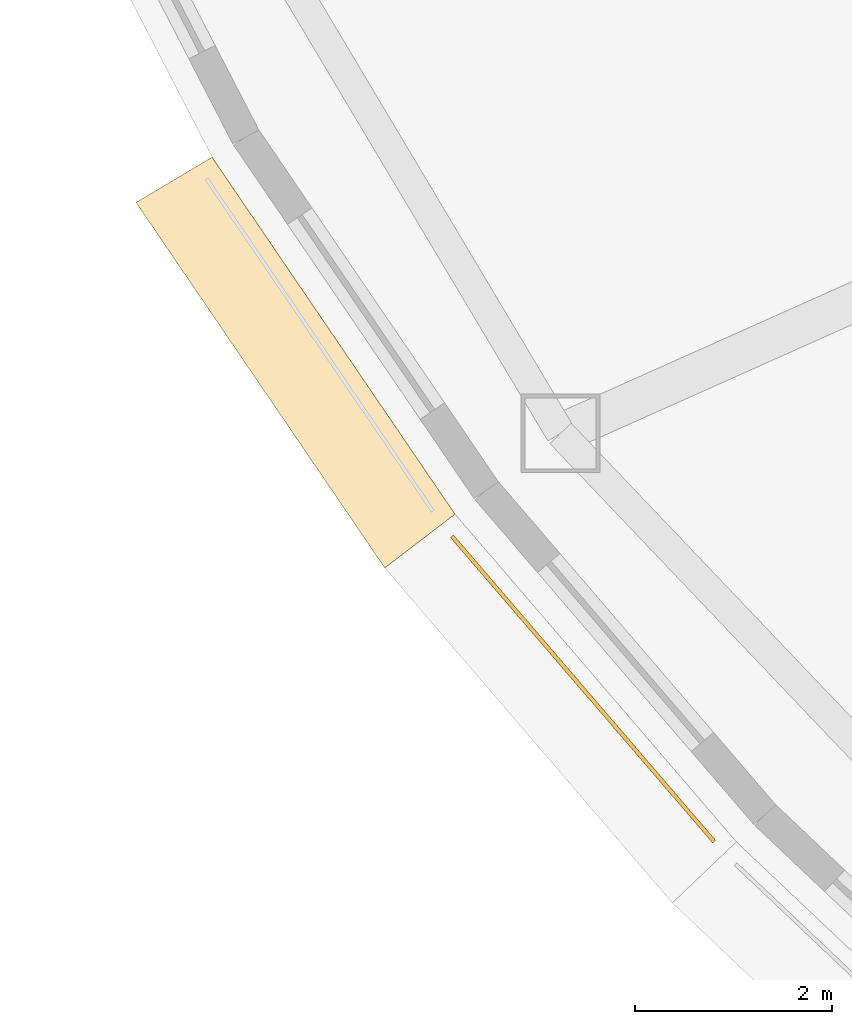
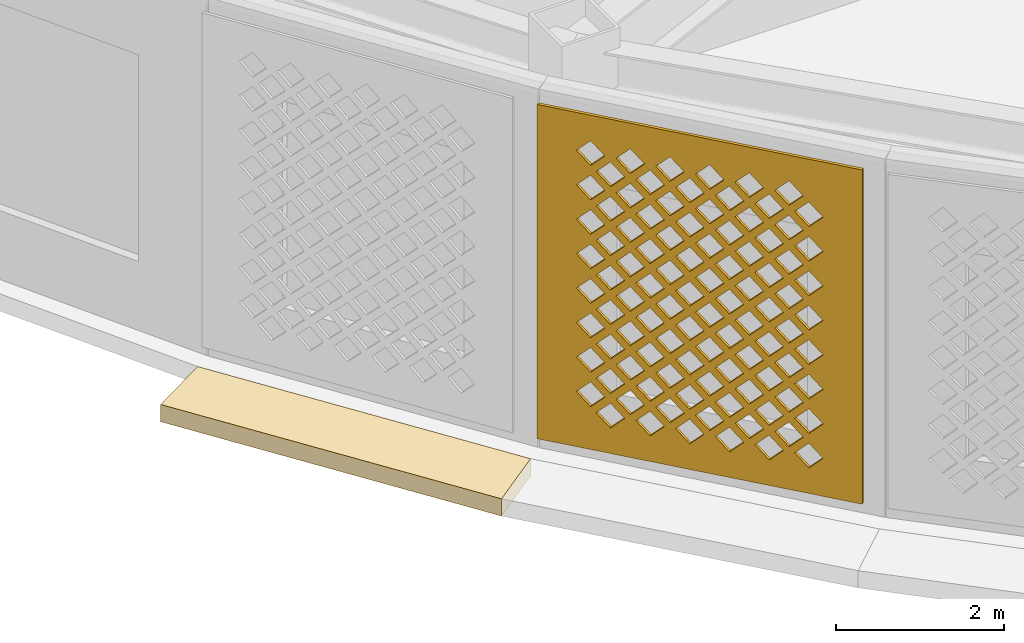
# One storey, part 38 of 63: 2 coverings.
"""IFC4 building model written with IfcOpenShell, lengths in metres."""

from ifc_helpers import new_model, si_unit, direction, frame, origin, place, context, subcontext, project, spatial, polyline, outline, extrude, material, layer, layer_set, type_object, element, save


model = new_model("IFC4")

# Units and contexts
model_context = context("Model", 3, precision=1e-05, world=origin(), true_north=direction((0.0, 1.0)))
body_context = subcontext(model_context, "Body", "Model", "MODEL_VIEW")
ifc_project = project(units=[si_unit("LENGTHUNIT", "METRE"), si_unit("AREAUNIT", "SQUARE_METRE"), si_unit("VOLUMEUNIT", "CUBIC_METRE"), si_unit("PLANEANGLEUNIT", "RADIAN"), si_unit("MASSUNIT", "GRAM", prefix="KILO")], contexts=[model_context])

# Site, building, storey
site_placement = place(None, origin())
site = spatial("IfcSite", under=ifc_project, at=site_placement, CompositionType="ELEMENT")
building_placement = place(site_placement, origin())
building = spatial("IfcBuilding", under=site, at=building_placement, Name="Noorbagh Ring Tower", CompositionType="ELEMENT")
storey_placement = place(building_placement, frame((0.0, 0.0, 25.0)))
storey = spatial("IfcBuildingStorey", under=building, at=storey_placement, Name="L04", CompositionType="ELEMENT", Elevation=25.0)

# Coverings
ifc_material_1 = material(Name="Red sandstone eave", Category="masonry")
covering_type_1 = type_object("IfcCoveringType", Name="STY-CHHAJJA", PredefinedType="USERDEFINED", material=ifc_material_1)
covering_1_placement = place(storey_placement, frame((0.0, 0.0, -0.25)))
element("IfcCovering", 1, at=covering_1_placement, inside=storey, type_object=covering_type_1, Name="Chhajja eave", ObjectType="CHHAJJA", PredefinedType="USERDEFINED", context=body_context, shape_type="SweptSolid", body=[
    extrude(outline(polyline([(-47.2431640625, -16.71337890625), (-44.77001953125, -20.346923828125), (-45.485595703125, -20.89501953125), (-48.017578125, -17.175048828125), (-47.2431640625, -16.71337890625)])), origin(), (0.0, 0.0, 1.0), 0.25),
])
ifc_material_2 = material(Name="Red sandstone jali", Category="masonry")
ifc_layer = layer(ifc_material_2, 0.0400390625)
ifc_layer_set = layer_set([ifc_layer], Name="Red sandstone jali")
covering_type_2 = type_object("IfcCoveringType", Name="STY-JALI", PredefinedType="USERDEFINED", material=ifc_layer_set)
covering_2_placement = place(storey_placement, frame((-44.81640625, -20.584716796875, 0.449951171875), z_axis=(-0.758717747284, -0.651419511495, 0.0), x_axis=(0.651419511495, -0.758717747284, 0.0)))
element("IfcCovering", 2, at=covering_2_placement, inside=storey, type_object=covering_type_2, Name="Jali screen", ObjectType="SCREEN", PredefinedType="USERDEFINED", context=body_context, shape_type="SweptSolid", body=[
    extrude(outline(polyline([(0.0, 0.0), (4.095703125, 0.0), (4.095703125, 4.85009765625), (0.0, 4.85009765625), (0.0, 0.0)]), holes=[polyline([(0.742919921875, 0.550048828125), (0.9228515625, 0.3701171875), (1.102783203125, 0.550048828125), (0.9228515625, 0.72998046875), (0.742919921875, 0.550048828125)]), polyline([(1.242919921875, 0.550048828125), (1.4228515625, 0.3701171875), (1.602783203125, 0.550048828125), (1.4228515625, 0.72998046875), (1.242919921875, 0.550048828125)]), polyline([(1.742919921875, 0.550048828125), (1.9228515625, 0.3701171875), (2.102783203125, 0.550048828125), (1.9228515625, 0.72998046875), (1.742919921875, 0.550048828125)]), polyline([(2.242919921875, 0.550048828125), (2.4228515625, 0.3701171875), (2.602783203125, 0.550048828125), (2.4228515625, 0.72998046875), (2.242919921875, 0.550048828125)]), polyline([(2.742919921875, 0.550048828125), (2.9228515625, 0.3701171875), (3.102783203125, 0.550048828125), (2.9228515625, 0.72998046875), (2.742919921875, 0.550048828125)]), polyline([(3.242919921875, 0.550048828125), (3.4228515625, 0.3701171875), (3.602783203125, 0.550048828125), (3.4228515625, 0.72998046875), (3.242919921875, 0.550048828125)]), polyline([(0.492919921875, 0.800048828125), (0.6728515625, 0.6201171875), (0.852783203125, 0.800048828125), (0.6728515625, 0.97998046875), (0.492919921875, 0.800048828125)]), polyline([(0.992919921875, 0.800048828125), (1.1728515625, 0.6201171875), (1.352783203125, 0.800048828125), (1.1728515625, 0.97998046875), (0.992919921875, 0.800048828125)]), polyline([(1.492919921875, 0.800048828125), (1.6728515625, 0.6201171875), (1.852783203125, 0.800048828125), (1.6728515625, 0.97998046875), (1.492919921875, 0.800048828125)]), polyline([(1.992919921875, 0.800048828125), (2.1728515625, 0.6201171875), (2.352783203125, 0.800048828125), (2.1728515625, 0.97998046875), (1.992919921875, 0.800048828125)]), polyline([(2.492919921875, 0.800048828125), (2.6728515625, 0.6201171875), (2.852783203125, 0.800048828125), (2.6728515625, 0.97998046875), (2.492919921875, 0.800048828125)]), polyline([(2.992919921875, 0.800048828125), (3.1728515625, 0.6201171875), (3.352783203125, 0.800048828125), (3.1728515625, 0.97998046875), (2.992919921875, 0.800048828125)]), polyline([(0.742919921875, 1.050048828125), (0.9228515625, 0.8701171875), (1.102783203125, 1.050048828125), (0.9228515625, 1.22998046875), (0.742919921875, 1.050048828125)]), polyline([(1.242919921875, 1.050048828125), (1.4228515625, 0.8701171875), (1.602783203125, 1.050048828125), (1.4228515625, 1.22998046875), (1.242919921875, 1.050048828125)]), polyline([(1.742919921875, 1.050048828125), (1.9228515625, 0.8701171875), (2.102783203125, 1.050048828125), (1.9228515625, 1.22998046875), (1.742919921875, 1.050048828125)]), polyline([(2.242919921875, 1.050048828125), (2.4228515625, 0.8701171875), (2.602783203125, 1.050048828125), (2.4228515625, 1.22998046875), (2.242919921875, 1.050048828125)]), polyline([(2.742919921875, 1.050048828125), (2.9228515625, 0.8701171875), (3.102783203125, 1.050048828125), (2.9228515625, 1.22998046875), (2.742919921875, 1.050048828125)]), polyline([(3.242919921875, 1.050048828125), (3.4228515625, 0.8701171875), (3.602783203125, 1.050048828125), (3.4228515625, 1.22998046875), (3.242919921875, 1.050048828125)]), polyline([(0.492919921875, 1.300048828125), (0.6728515625, 1.1201171875), (0.852783203125, 1.300048828125), (0.6728515625, 1.47998046875), (0.492919921875, 1.300048828125)]), polyline([(0.992919921875, 1.300048828125), (1.1728515625, 1.1201171875), (1.352783203125, 1.300048828125), (1.1728515625, 1.47998046875), (0.992919921875, 1.300048828125)]), polyline([(1.492919921875, 1.300048828125), (1.6728515625, 1.1201171875), (1.852783203125, 1.300048828125), (1.6728515625, 1.47998046875), (1.492919921875, 1.300048828125)]), polyline([(1.992919921875, 1.300048828125), (2.1728515625, 1.1201171875), (2.352783203125, 1.300048828125), (2.1728515625, 1.47998046875), (1.992919921875, 1.300048828125)]), polyline([(2.492919921875, 1.300048828125), (2.6728515625, 1.1201171875), (2.852783203125, 1.300048828125), (2.6728515625, 1.47998046875), (2.492919921875, 1.300048828125)]), polyline([(2.992919921875, 1.300048828125), (3.1728515625, 1.1201171875), (3.352783203125, 1.300048828125), (3.1728515625, 1.47998046875), (2.992919921875, 1.300048828125)]), polyline([(0.742919921875, 1.550048828125), (0.9228515625, 1.3701171875), (1.102783203125, 1.550048828125), (0.9228515625, 1.72998046875), (0.742919921875, 1.550048828125)]), polyline([(1.242919921875, 1.550048828125), (1.4228515625, 1.3701171875), (1.602783203125, 1.550048828125), (1.4228515625, 1.72998046875), (1.242919921875, 1.550048828125)]), polyline([(1.742919921875, 1.550048828125), (1.9228515625, 1.3701171875), (2.102783203125, 1.550048828125), (1.9228515625, 1.72998046875), (1.742919921875, 1.550048828125)]), polyline([(2.242919921875, 1.550048828125), (2.4228515625, 1.3701171875), (2.602783203125, 1.550048828125), (2.4228515625, 1.72998046875), (2.242919921875, 1.550048828125)]), polyline([(2.742919921875, 1.550048828125), (2.9228515625, 1.3701171875), (3.102783203125, 1.550048828125), (2.9228515625, 1.72998046875), (2.742919921875, 1.550048828125)]), polyline([(3.242919921875, 1.550048828125), (3.4228515625, 1.3701171875), (3.602783203125, 1.550048828125), (3.4228515625, 1.72998046875), (3.242919921875, 1.550048828125)]), polyline([(0.492919921875, 1.800048828125), (0.6728515625, 1.6201171875), (0.852783203125, 1.800048828125), (0.6728515625, 1.97998046875), (0.492919921875, 1.800048828125)]), polyline([(0.992919921875, 1.800048828125), (1.1728515625, 1.6201171875), (1.352783203125, 1.800048828125), (1.1728515625, 1.97998046875), (0.992919921875, 1.800048828125)]), polyline([(1.492919921875, 1.800048828125), (1.6728515625, 1.6201171875), (1.852783203125, 1.800048828125), (1.6728515625, 1.97998046875), (1.492919921875, 1.800048828125)]), polyline([(1.992919921875, 1.800048828125), (2.1728515625, 1.6201171875), (2.352783203125, 1.800048828125), (2.1728515625, 1.97998046875), (1.992919921875, 1.800048828125)]), polyline([(2.492919921875, 1.800048828125), (2.6728515625, 1.6201171875), (2.852783203125, 1.800048828125), (2.6728515625, 1.97998046875), (2.492919921875, 1.800048828125)]), polyline([(2.992919921875, 1.800048828125), (3.1728515625, 1.6201171875), (3.352783203125, 1.800048828125), (3.1728515625, 1.97998046875), (2.992919921875, 1.800048828125)]), polyline([(0.742919921875, 2.050048828125), (0.9228515625, 1.8701171875), (1.102783203125, 2.050048828125), (0.9228515625, 2.22998046875), (0.742919921875, 2.050048828125)]), polyline([(1.242919921875, 2.050048828125), (1.4228515625, 1.8701171875), (1.602783203125, 2.050048828125), (1.4228515625, 2.22998046875), (1.242919921875, 2.050048828125)]), polyline([(1.742919921875, 2.050048828125), (1.9228515625, 1.8701171875), (2.102783203125, 2.050048828125), (1.9228515625, 2.22998046875), (1.742919921875, 2.050048828125)]), polyline([(2.242919921875, 2.050048828125), (2.4228515625, 1.8701171875), (2.602783203125, 2.050048828125), (2.4228515625, 2.22998046875), (2.242919921875, 2.050048828125)]), polyline([(2.742919921875, 2.050048828125), (2.9228515625, 1.8701171875), (3.102783203125, 2.050048828125), (2.9228515625, 2.22998046875), (2.742919921875, 2.050048828125)]), polyline([(3.242919921875, 2.050048828125), (3.4228515625, 1.8701171875), (3.602783203125, 2.050048828125), (3.4228515625, 2.22998046875), (3.242919921875, 2.050048828125)]), polyline([(0.492919921875, 2.300048828125), (0.6728515625, 2.1201171875), (0.852783203125, 2.300048828125), (0.6728515625, 2.47998046875), (0.492919921875, 2.300048828125)]), polyline([(0.992919921875, 2.300048828125), (1.1728515625, 2.1201171875), (1.352783203125, 2.300048828125), (1.1728515625, 2.47998046875), (0.992919921875, 2.300048828125)]), polyline([(1.492919921875, 2.300048828125), (1.6728515625, 2.1201171875), (1.852783203125, 2.300048828125), (1.6728515625, 2.47998046875), (1.492919921875, 2.300048828125)]), polyline([(1.992919921875, 2.300048828125), (2.1728515625, 2.1201171875), (2.352783203125, 2.300048828125), (2.1728515625, 2.47998046875), (1.992919921875, 2.300048828125)]), polyline([(2.492919921875, 2.300048828125), (2.6728515625, 2.1201171875), (2.852783203125, 2.300048828125), (2.6728515625, 2.47998046875), (2.492919921875, 2.300048828125)]), polyline([(2.992919921875, 2.300048828125), (3.1728515625, 2.1201171875), (3.352783203125, 2.300048828125), (3.1728515625, 2.47998046875), (2.992919921875, 2.300048828125)]), polyline([(0.742919921875, 2.550048828125), (0.9228515625, 2.3701171875), (1.102783203125, 2.550048828125), (0.9228515625, 2.72998046875), (0.742919921875, 2.550048828125)]), polyline([(1.242919921875, 2.550048828125), (1.4228515625, 2.3701171875), (1.602783203125, 2.550048828125), (1.4228515625, 2.72998046875), (1.242919921875, 2.550048828125)]), polyline([(1.742919921875, 2.550048828125), (1.9228515625, 2.3701171875), (2.102783203125, 2.550048828125), (1.9228515625, 2.72998046875), (1.742919921875, 2.550048828125)]), polyline([(2.242919921875, 2.550048828125), (2.4228515625, 2.3701171875), (2.602783203125, 2.550048828125), (2.4228515625, 2.72998046875), (2.242919921875, 2.550048828125)]), polyline([(2.742919921875, 2.550048828125), (2.9228515625, 2.3701171875), (3.102783203125, 2.550048828125), (2.9228515625, 2.72998046875), (2.742919921875, 2.550048828125)]), polyline([(3.242919921875, 2.550048828125), (3.4228515625, 2.3701171875), (3.602783203125, 2.550048828125), (3.4228515625, 2.72998046875), (3.242919921875, 2.550048828125)]), polyline([(0.492919921875, 2.800048828125), (0.6728515625, 2.6201171875), (0.852783203125, 2.800048828125), (0.6728515625, 2.97998046875), (0.492919921875, 2.800048828125)]), polyline([(0.992919921875, 2.800048828125), (1.1728515625, 2.6201171875), (1.352783203125, 2.800048828125), (1.1728515625, 2.97998046875), (0.992919921875, 2.800048828125)]), polyline([(1.492919921875, 2.800048828125), (1.6728515625, 2.6201171875), (1.852783203125, 2.800048828125), (1.6728515625, 2.97998046875), (1.492919921875, 2.800048828125)]), polyline([(1.992919921875, 2.800048828125), (2.1728515625, 2.6201171875), (2.352783203125, 2.800048828125), (2.1728515625, 2.97998046875), (1.992919921875, 2.800048828125)]), polyline([(2.492919921875, 2.800048828125), (2.6728515625, 2.6201171875), (2.852783203125, 2.800048828125), (2.6728515625, 2.97998046875), (2.492919921875, 2.800048828125)]), polyline([(2.992919921875, 2.800048828125), (3.1728515625, 2.6201171875), (3.352783203125, 2.800048828125), (3.1728515625, 2.97998046875), (2.992919921875, 2.800048828125)]), polyline([(0.742919921875, 3.050048828125), (0.9228515625, 2.8701171875), (1.102783203125, 3.050048828125), (0.9228515625, 3.22998046875), (0.742919921875, 3.050048828125)]), polyline([(1.242919921875, 3.050048828125), (1.4228515625, 2.8701171875), (1.602783203125, 3.050048828125), (1.4228515625, 3.22998046875), (1.242919921875, 3.050048828125)]), polyline([(1.742919921875, 3.050048828125), (1.9228515625, 2.8701171875), (2.102783203125, 3.050048828125), (1.9228515625, 3.22998046875), (1.742919921875, 3.050048828125)]), polyline([(2.242919921875, 3.050048828125), (2.4228515625, 2.8701171875), (2.602783203125, 3.050048828125), (2.4228515625, 3.22998046875), (2.242919921875, 3.050048828125)]), polyline([(2.742919921875, 3.050048828125), (2.9228515625, 2.8701171875), (3.102783203125, 3.050048828125), (2.9228515625, 3.22998046875), (2.742919921875, 3.050048828125)]), polyline([(3.242919921875, 3.050048828125), (3.4228515625, 2.8701171875), (3.602783203125, 3.050048828125), (3.4228515625, 3.22998046875), (3.242919921875, 3.050048828125)]), polyline([(0.492919921875, 3.300048828125), (0.6728515625, 3.1201171875), (0.852783203125, 3.300048828125), (0.6728515625, 3.47998046875), (0.492919921875, 3.300048828125)]), polyline([(0.992919921875, 3.300048828125), (1.1728515625, 3.1201171875), (1.352783203125, 3.300048828125), (1.1728515625, 3.47998046875), (0.992919921875, 3.300048828125)]), polyline([(1.492919921875, 3.300048828125), (1.6728515625, 3.1201171875), (1.852783203125, 3.300048828125), (1.6728515625, 3.47998046875), (1.492919921875, 3.300048828125)]), polyline([(1.992919921875, 3.300048828125), (2.1728515625, 3.1201171875), (2.352783203125, 3.300048828125), (2.1728515625, 3.47998046875), (1.992919921875, 3.300048828125)]), polyline([(2.492919921875, 3.300048828125), (2.6728515625, 3.1201171875), (2.852783203125, 3.300048828125), (2.6728515625, 3.47998046875), (2.492919921875, 3.300048828125)]), polyline([(2.992919921875, 3.300048828125), (3.1728515625, 3.1201171875), (3.352783203125, 3.300048828125), (3.1728515625, 3.47998046875), (2.992919921875, 3.300048828125)]), polyline([(0.742919921875, 3.550048828125), (0.9228515625, 3.3701171875), (1.102783203125, 3.550048828125), (0.9228515625, 3.72998046875), (0.742919921875, 3.550048828125)]), polyline([(1.242919921875, 3.550048828125), (1.4228515625, 3.3701171875), (1.602783203125, 3.550048828125), (1.4228515625, 3.72998046875), (1.242919921875, 3.550048828125)]), polyline([(1.742919921875, 3.550048828125), (1.9228515625, 3.3701171875), (2.102783203125, 3.550048828125), (1.9228515625, 3.72998046875), (1.742919921875, 3.550048828125)]), polyline([(2.242919921875, 3.550048828125), (2.4228515625, 3.3701171875), (2.602783203125, 3.550048828125), (2.4228515625, 3.72998046875), (2.242919921875, 3.550048828125)]), polyline([(2.742919921875, 3.550048828125), (2.9228515625, 3.3701171875), (3.102783203125, 3.550048828125), (2.9228515625, 3.72998046875), (2.742919921875, 3.550048828125)]), polyline([(3.242919921875, 3.550048828125), (3.4228515625, 3.3701171875), (3.602783203125, 3.550048828125), (3.4228515625, 3.72998046875), (3.242919921875, 3.550048828125)]), polyline([(0.492919921875, 3.800048828125), (0.6728515625, 3.6201171875), (0.852783203125, 3.800048828125), (0.6728515625, 3.97998046875), (0.492919921875, 3.800048828125)]), polyline([(0.992919921875, 3.800048828125), (1.1728515625, 3.6201171875), (1.352783203125, 3.800048828125), (1.1728515625, 3.97998046875), (0.992919921875, 3.800048828125)]), polyline([(1.492919921875, 3.800048828125), (1.6728515625, 3.6201171875), (1.852783203125, 3.800048828125), (1.6728515625, 3.97998046875), (1.492919921875, 3.800048828125)]), polyline([(1.992919921875, 3.800048828125), (2.1728515625, 3.6201171875), (2.352783203125, 3.800048828125), (2.1728515625, 3.97998046875), (1.992919921875, 3.800048828125)]), polyline([(2.492919921875, 3.800048828125), (2.6728515625, 3.6201171875), (2.852783203125, 3.800048828125), (2.6728515625, 3.97998046875), (2.492919921875, 3.800048828125)]), polyline([(2.992919921875, 3.800048828125), (3.1728515625, 3.6201171875), (3.352783203125, 3.800048828125), (3.1728515625, 3.97998046875), (2.992919921875, 3.800048828125)]), polyline([(0.742919921875, 4.050048828125), (0.9228515625, 3.8701171875), (1.102783203125, 4.050048828125), (0.9228515625, 4.22998046875), (0.742919921875, 4.050048828125)]), polyline([(1.242919921875, 4.050048828125), (1.4228515625, 3.8701171875), (1.602783203125, 4.050048828125), (1.4228515625, 4.22998046875), (1.242919921875, 4.050048828125)]), polyline([(1.742919921875, 4.050048828125), (1.9228515625, 3.8701171875), (2.102783203125, 4.050048828125), (1.9228515625, 4.22998046875), (1.742919921875, 4.050048828125)]), polyline([(2.242919921875, 4.050048828125), (2.4228515625, 3.8701171875), (2.602783203125, 4.050048828125), (2.4228515625, 4.22998046875), (2.242919921875, 4.050048828125)]), polyline([(2.742919921875, 4.050048828125), (2.9228515625, 3.8701171875), (3.102783203125, 4.050048828125), (2.9228515625, 4.22998046875), (2.742919921875, 4.050048828125)]), polyline([(3.242919921875, 4.050048828125), (3.4228515625, 3.8701171875), (3.602783203125, 4.050048828125), (3.4228515625, 4.22998046875), (3.242919921875, 4.050048828125)]), polyline([(0.492919921875, 4.300048828125), (0.6728515625, 4.1201171875), (0.852783203125, 4.300048828125), (0.6728515625, 4.47998046875), (0.492919921875, 4.300048828125)]), polyline([(0.992919921875, 4.300048828125), (1.1728515625, 4.1201171875), (1.352783203125, 4.300048828125), (1.1728515625, 4.47998046875), (0.992919921875, 4.300048828125)]), polyline([(1.492919921875, 4.300048828125), (1.6728515625, 4.1201171875), (1.852783203125, 4.300048828125), (1.6728515625, 4.47998046875), (1.492919921875, 4.300048828125)]), polyline([(1.992919921875, 4.300048828125), (2.1728515625, 4.1201171875), (2.352783203125, 4.300048828125), (2.1728515625, 4.47998046875), (1.992919921875, 4.300048828125)]), polyline([(2.492919921875, 4.300048828125), (2.6728515625, 4.1201171875), (2.852783203125, 4.300048828125), (2.6728515625, 4.47998046875), (2.492919921875, 4.300048828125)]), polyline([(2.992919921875, 4.300048828125), (3.1728515625, 4.1201171875), (3.352783203125, 4.300048828125), (3.1728515625, 4.47998046875), (2.992919921875, 4.300048828125)])]), origin(), (0.0, 0.0, -1.0), 0.0400390625),
])

save(model, "model.ifc")
